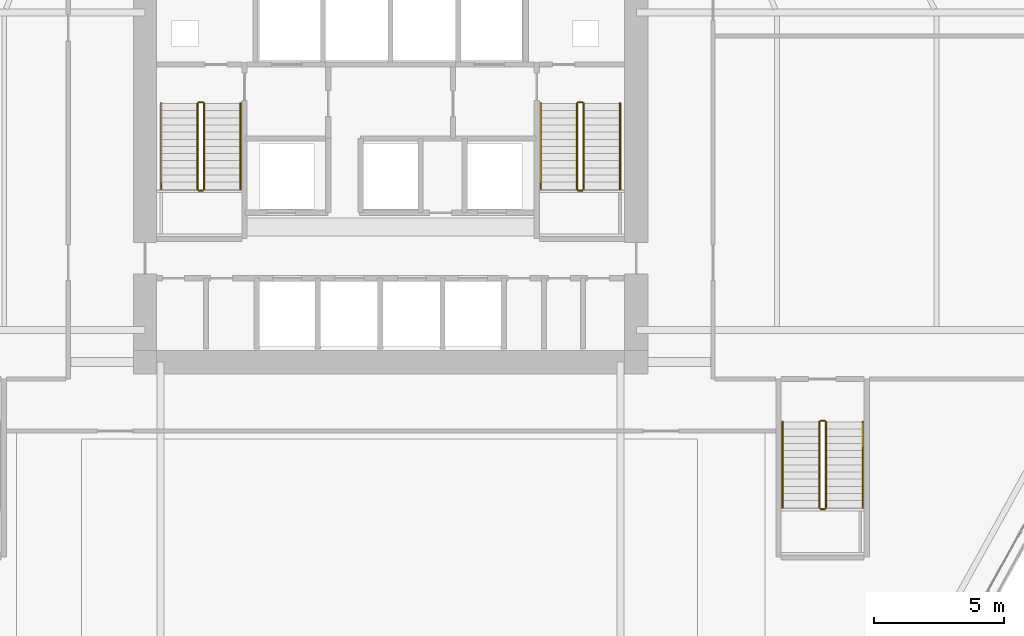
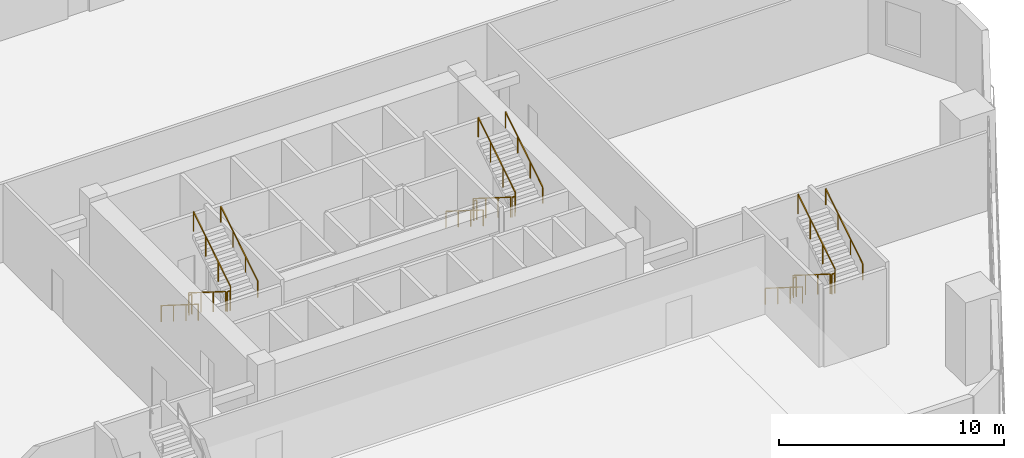
# One storey, part 17 of 18: 18 railings.
"""IFC4 building model written with IfcOpenShell, lengths in metres."""

from ifc_helpers import new_model, si_unit, direction, frame, origin, origin_2d, place, context, subcontext, project, spatial, rectangle, extrude, material, type_object, element, save


model = new_model("IFC4")

# Units and contexts
model_context = context("Model", 3, precision=1e-05, world=origin(), true_north=direction((0.0, 1.0)))
body_context = subcontext(model_context, "Body", "Model", "MODEL_VIEW")
ifc_project = project(units=[si_unit("LENGTHUNIT", "METRE"), si_unit("AREAUNIT", "SQUARE_METRE"), si_unit("VOLUMEUNIT", "CUBIC_METRE"), si_unit("PLANEANGLEUNIT", "RADIAN"), si_unit("MASSUNIT", "GRAM", prefix="KILO")], contexts=[model_context])

# Site, building, storey
site_placement = place(None, origin())
site = spatial("IfcSite", under=ifc_project, at=site_placement, CompositionType="ELEMENT")
building_placement = place(site_placement, origin())
building = spatial("IfcBuilding", under=site, at=building_placement, Name="Cinnabar Lancet Tower", CompositionType="ELEMENT")
storey_placement = place(building_placement, frame((0.0, 0.0, 10.5)))
storey = spatial("IfcBuildingStorey", under=building, at=storey_placement, Name="L02", CompositionType="ELEMENT", Elevation=10.5)

# Railings
ifc_material_1 = material(Name="Painted galvanized steel balustrade", Category="steel")
railing_type_1 = type_object("IfcRailingType", Name="GUARD-STAIR", PredefinedType="GUARDRAIL", material=ifc_material_1)
railing_1_placement = place(storey_placement, frame((24.97509765625, 28.39990234375, 0.173095703125)))
element("IfcRailing", 1, at=railing_1_placement, inside=storey, type_object=railing_type_1, Name="L02 ST-1 stair guard 1", PredefinedType="GUARDRAIL", context=body_context, shape_type="SweptSolid", body=[
    extrude(rectangle(XDim=0.048095703125, YDim=0.048095703125, at=origin_2d()), frame((0.0, 0.0, 1.076171875), z_axis=(0.0, -0.846319618018, 0.532675421018), x_axis=(1.0, 0.0, 0.0)), (0.0, 0.0, 1.0), 3.89892578125),
    extrude(rectangle(XDim=0.0419921875, YDim=0.0419921875, at=origin_2d()), origin(), (0.0, 0.0, 1.0), 1.052001953125),
    extrude(rectangle(XDim=0.0419921875, YDim=0.0419921875, at=origin_2d()), frame((0.0, -1.099853515625, 0.6923828125)), (0.0, 0.0, 1.0), 1.052001953125),
    extrude(rectangle(XDim=0.0419921875, YDim=0.0419921875, at=origin_2d()), frame((0.0, -2.199951171875, 1.384521484375)), (0.0, 0.0, 1.0), 1.052001953125),
    extrude(rectangle(XDim=0.0419921875, YDim=0.0419921875, at=origin_2d()), frame((0.0, -3.2998046875, 2.076904296875)), (0.0, 0.0, 1.0), 1.052001953125),
])
railing_2_placement = place(storey_placement, frame((25.02490234375, 25.050048828125, 2.25)))
element("IfcRailing", 2, at=railing_2_placement, inside=storey, type_object=railing_type_1, Name="L02 ST-1 stair guard 2", PredefinedType="GUARDRAIL", context=body_context, shape_type="SweptSolid", body=[
    extrude(rectangle(XDim=0.048095703125, YDim=0.048095703125, at=origin_2d()), frame((0.0, 0.0, 1.076171875), z_axis=(1.0, 0.0, 0.0), x_axis=(0.0, 1.0, 0.0)), (0.0, 0.0, 1.0), 0.150146484375),
    extrude(rectangle(XDim=0.0419921875, YDim=0.0419921875, at=origin_2d()), origin(), (0.0, 0.0, 1.0), 1.052001953125),
    extrude(rectangle(XDim=0.0419921875, YDim=0.0419921875, at=origin_2d()), frame((0.150146484375, 0.0, 0.0)), (0.0, 0.0, 1.0), 1.052001953125),
])
railing_3_placement = place(storey_placement, frame((25.22509765625, 25.10009765625, 2.423095703125)))
element("IfcRailing", 3, at=railing_3_placement, inside=storey, type_object=railing_type_1, Name="L02 ST-1 stair guard 3", PredefinedType="GUARDRAIL", context=body_context, shape_type="SweptSolid", body=[
    extrude(rectangle(XDim=0.048095703125, YDim=0.048095703125, at=origin_2d()), frame((0.0, 0.0, 1.076171875), z_axis=(0.0, 0.846319618018, 0.532675421018), x_axis=(-1.0, 0.0, 0.0)), (0.0, 0.0, 1.0), 3.89892578125),
    extrude(rectangle(XDim=0.0419921875, YDim=0.0419921875, at=origin_2d()), origin(), (0.0, 0.0, 1.0), 1.052001953125),
    extrude(rectangle(XDim=0.0419921875, YDim=0.0419921875, at=origin_2d()), frame((0.0, 1.099853515625, 0.6923828125)), (0.0, 0.0, 1.0), 1.052001953125),
    extrude(rectangle(XDim=0.0419921875, YDim=0.0419921875, at=origin_2d()), frame((0.0, 2.199951171875, 1.384521484375)), (0.0, 0.0, 1.0), 1.052001953125),
    extrude(rectangle(XDim=0.0419921875, YDim=0.0419921875, at=origin_2d()), frame((0.0, 3.2998046875, 2.076904296875)), (0.0, 0.0, 1.0), 1.052001953125),
])
railing_4_placement = place(storey_placement, frame((25.02490234375, 28.449951171875, 0.0)))
element("IfcRailing", 4, at=railing_4_placement, inside=storey, type_object=railing_type_1, Name="L02 ST-1 stair guard 4", PredefinedType="GUARDRAIL", context=body_context, shape_type="SweptSolid", body=[
    extrude(rectangle(XDim=0.048095703125, YDim=0.048095703125, at=origin_2d()), frame((0.0, 0.0, 1.076171875), z_axis=(1.0, 0.0, 0.0), x_axis=(0.0, 1.0, 0.0)), (0.0, 0.0, 1.0), 0.150146484375),
    extrude(rectangle(XDim=0.0419921875, YDim=0.0419921875, at=origin_2d()), origin(), (0.0, 0.0, 1.0), 1.052001953125),
    extrude(rectangle(XDim=0.0419921875, YDim=0.0419921875, at=origin_2d()), frame((0.150146484375, 0.0, 0.0)), (0.0, 0.0, 1.0), 1.052001953125),
])
railing_5_placement = place(storey_placement, frame((39.574951171875, 28.39990234375, 0.173095703125)))
element("IfcRailing", 5, at=railing_5_placement, inside=storey, type_object=railing_type_1, Name="L02 ST-2 stair guard 1", PredefinedType="GUARDRAIL", context=body_context, shape_type="SweptSolid", body=[
    extrude(rectangle(XDim=0.048095703125, YDim=0.048095703125, at=origin_2d()), frame((0.0, 0.0, 1.076171875), z_axis=(0.0, -0.846319618018, 0.532675421018), x_axis=(1.0, 0.0, 0.0)), (0.0, 0.0, 1.0), 3.89892578125),
    extrude(rectangle(XDim=0.0419921875, YDim=0.0419921875, at=origin_2d()), origin(), (0.0, 0.0, 1.0), 1.052001953125),
    extrude(rectangle(XDim=0.0419921875, YDim=0.0419921875, at=origin_2d()), frame((0.0, -1.099853515625, 0.6923828125)), (0.0, 0.0, 1.0), 1.052001953125),
    extrude(rectangle(XDim=0.0419921875, YDim=0.0419921875, at=origin_2d()), frame((0.0, -2.199951171875, 1.384521484375)), (0.0, 0.0, 1.0), 1.052001953125),
    extrude(rectangle(XDim=0.0419921875, YDim=0.0419921875, at=origin_2d()), frame((0.0, -3.2998046875, 2.076904296875)), (0.0, 0.0, 1.0), 1.052001953125),
])
railing_6_placement = place(storey_placement, frame((39.625, 25.050048828125, 2.25)))
element("IfcRailing", 6, at=railing_6_placement, inside=storey, type_object=railing_type_1, Name="L02 ST-2 stair guard 2", PredefinedType="GUARDRAIL", context=body_context, shape_type="SweptSolid", body=[
    extrude(rectangle(XDim=0.048095703125, YDim=0.048095703125, at=origin_2d()), frame((0.0, 0.0, 1.076171875), z_axis=(1.0, 0.0, 0.0), x_axis=(0.0, 1.0, 0.0)), (0.0, 0.0, 1.0), 0.14990234375),
    extrude(rectangle(XDim=0.0419921875, YDim=0.0419921875, at=origin_2d()), origin(), (0.0, 0.0, 1.0), 1.052001953125),
    extrude(rectangle(XDim=0.0419921875, YDim=0.0419921875, at=origin_2d()), frame((0.14990234375, 0.0, 0.0)), (0.0, 0.0, 1.0), 1.052001953125),
])
railing_7_placement = place(storey_placement, frame((39.824951171875, 25.10009765625, 2.423095703125)))
element("IfcRailing", 7, at=railing_7_placement, inside=storey, type_object=railing_type_1, Name="L02 ST-2 stair guard 3", PredefinedType="GUARDRAIL", context=body_context, shape_type="SweptSolid", body=[
    extrude(rectangle(XDim=0.048095703125, YDim=0.048095703125, at=origin_2d()), frame((0.0, 0.0, 1.076171875), z_axis=(0.0, 0.846319618018, 0.532675421018), x_axis=(-1.0, 0.0, 0.0)), (0.0, 0.0, 1.0), 3.89892578125),
    extrude(rectangle(XDim=0.0419921875, YDim=0.0419921875, at=origin_2d()), origin(), (0.0, 0.0, 1.0), 1.052001953125),
    extrude(rectangle(XDim=0.0419921875, YDim=0.0419921875, at=origin_2d()), frame((0.0, 1.099853515625, 0.6923828125)), (0.0, 0.0, 1.0), 1.052001953125),
    extrude(rectangle(XDim=0.0419921875, YDim=0.0419921875, at=origin_2d()), frame((0.0, 2.199951171875, 1.384521484375)), (0.0, 0.0, 1.0), 1.052001953125),
    extrude(rectangle(XDim=0.0419921875, YDim=0.0419921875, at=origin_2d()), frame((0.0, 3.2998046875, 2.076904296875)), (0.0, 0.0, 1.0), 1.052001953125),
])
railing_8_placement = place(storey_placement, frame((39.625, 28.449951171875, 0.0)))
element("IfcRailing", 8, at=railing_8_placement, inside=storey, type_object=railing_type_1, Name="L02 ST-2 stair guard 4", PredefinedType="GUARDRAIL", context=body_context, shape_type="SweptSolid", body=[
    extrude(rectangle(XDim=0.048095703125, YDim=0.048095703125, at=origin_2d()), frame((0.0, 0.0, 1.076171875), z_axis=(1.0, 0.0, 0.0), x_axis=(0.0, 1.0, 0.0)), (0.0, 0.0, 1.0), 0.14990234375),
    extrude(rectangle(XDim=0.0419921875, YDim=0.0419921875, at=origin_2d()), origin(), (0.0, 0.0, 1.0), 1.052001953125),
    extrude(rectangle(XDim=0.0419921875, YDim=0.0419921875, at=origin_2d()), frame((0.14990234375, 0.0, 0.0)), (0.0, 0.0, 1.0), 1.052001953125),
])
railing_9_placement = place(storey_placement, frame((48.89501953125, 16.14990234375, 0.173095703125)))
element("IfcRailing", 9, at=railing_9_placement, inside=storey, type_object=railing_type_1, Name="L02 ST-4 stair guard 1", PredefinedType="GUARDRAIL", context=body_context, shape_type="SweptSolid", body=[
    extrude(rectangle(XDim=0.048095703125, YDim=0.048095703125, at=origin_2d()), frame((0.0, 0.0, 1.076171875), z_axis=(0.0, -0.846319618018, 0.532675421018), x_axis=(1.0, 0.0, 0.0)), (0.0, 0.0, 1.0), 3.89892578125),
    extrude(rectangle(XDim=0.0419921875, YDim=0.0419921875, at=origin_2d()), origin(), (0.0, 0.0, 1.0), 1.052001953125),
    extrude(rectangle(XDim=0.0419921875, YDim=0.0419921875, at=origin_2d()), frame((0.0, -1.099853515625, 0.6923828125)), (0.0, 0.0, 1.0), 1.052001953125),
    extrude(rectangle(XDim=0.0419921875, YDim=0.0419921875, at=origin_2d()), frame((0.0, -2.199951171875, 1.384521484375)), (0.0, 0.0, 1.0), 1.052001953125),
    extrude(rectangle(XDim=0.0419921875, YDim=0.0419921875, at=origin_2d()), frame((0.0, -3.2998046875, 2.076904296875)), (0.0, 0.0, 1.0), 1.052001953125),
])
railing_10_placement = place(storey_placement, frame((48.945068359375, 12.800048828125, 2.25)))
element("IfcRailing", 10, at=railing_10_placement, inside=storey, type_object=railing_type_1, Name="L02 ST-4 stair guard 2", PredefinedType="GUARDRAIL", context=body_context, shape_type="SweptSolid", body=[
    extrude(rectangle(XDim=0.048095703125, YDim=0.048095703125, at=origin_2d()), frame((0.0, 0.0, 1.076171875), z_axis=(1.0, 0.0, 0.0), x_axis=(0.0, 1.0, 0.0)), (0.0, 0.0, 1.0), 0.14990234375),
    extrude(rectangle(XDim=0.0419921875, YDim=0.0419921875, at=origin_2d()), origin(), (0.0, 0.0, 1.0), 1.052001953125),
    extrude(rectangle(XDim=0.0419921875, YDim=0.0419921875, at=origin_2d()), frame((0.14990234375, 0.0, 0.0)), (0.0, 0.0, 1.0), 1.052001953125),
])
railing_11_placement = place(storey_placement, frame((49.14501953125, 12.85009765625, 2.423095703125)))
element("IfcRailing", 11, at=railing_11_placement, inside=storey, type_object=railing_type_1, Name="L02 ST-4 stair guard 3", PredefinedType="GUARDRAIL", context=body_context, shape_type="SweptSolid", body=[
    extrude(rectangle(XDim=0.048095703125, YDim=0.048095703125, at=origin_2d()), frame((0.0, 0.0, 1.076171875), z_axis=(0.0, 0.846319618018, 0.532675421018), x_axis=(-1.0, 0.0, 0.0)), (0.0, 0.0, 1.0), 3.89892578125),
    extrude(rectangle(XDim=0.0419921875, YDim=0.0419921875, at=origin_2d()), origin(), (0.0, 0.0, 1.0), 1.052001953125),
    extrude(rectangle(XDim=0.0419921875, YDim=0.0419921875, at=origin_2d()), frame((0.0, 1.099853515625, 0.6923828125)), (0.0, 0.0, 1.0), 1.052001953125),
    extrude(rectangle(XDim=0.0419921875, YDim=0.0419921875, at=origin_2d()), frame((0.0, 2.199951171875, 1.384521484375)), (0.0, 0.0, 1.0), 1.052001953125),
    extrude(rectangle(XDim=0.0419921875, YDim=0.0419921875, at=origin_2d()), frame((0.0, 3.2998046875, 2.076904296875)), (0.0, 0.0, 1.0), 1.052001953125),
])
railing_12_placement = place(storey_placement, frame((48.945068359375, 16.199951171875, 0.0)))
element("IfcRailing", 12, at=railing_12_placement, inside=storey, type_object=railing_type_1, Name="L02 ST-4 stair guard 4", PredefinedType="GUARDRAIL", context=body_context, shape_type="SweptSolid", body=[
    extrude(rectangle(XDim=0.048095703125, YDim=0.048095703125, at=origin_2d()), frame((0.0, 0.0, 1.076171875), z_axis=(1.0, 0.0, 0.0), x_axis=(0.0, 1.0, 0.0)), (0.0, 0.0, 1.0), 0.14990234375),
    extrude(rectangle(XDim=0.0419921875, YDim=0.0419921875, at=origin_2d()), origin(), (0.0, 0.0, 1.0), 1.052001953125),
    extrude(rectangle(XDim=0.0419921875, YDim=0.0419921875, at=origin_2d()), frame((0.14990234375, 0.0, 0.0)), (0.0, 0.0, 1.0), 1.052001953125),
])
ifc_material_2 = material(Name="Brushed stainless steel handrail", Category="steel")
railing_type_2 = type_object("IfcRailingType", Name="HANDRAIL-STAIR", PredefinedType="HANDRAIL", material=ifc_material_2)
railing_13_placement = place(storey_placement, frame((23.574951171875, 28.39990234375, 0.173095703125)))
element("IfcRailing", 13, at=railing_13_placement, inside=storey, type_object=railing_type_2, Name="L02 ST-1 stair handrail 1", PredefinedType="HANDRAIL", context=body_context, shape_type="SweptSolid", body=[
    extrude(rectangle(XDim=0.048095703125, YDim=0.048095703125, at=origin_2d()), frame((0.0, 0.0, 0.8759765625), z_axis=(0.0, -0.846319618018, 0.532675421018), x_axis=(1.0, 0.0, 0.0)), (0.0, 0.0, 1.0), 3.89892578125),
    extrude(rectangle(XDim=0.0419921875, YDim=0.0419921875, at=origin_2d()), origin(), (0.0, 0.0, 1.0), 0.851806640625),
    extrude(rectangle(XDim=0.0419921875, YDim=0.0419921875, at=origin_2d()), frame((0.0, -1.099853515625, 0.6923828125)), (0.0, 0.0, 1.0), 0.851806640625),
    extrude(rectangle(XDim=0.0419921875, YDim=0.0419921875, at=origin_2d()), frame((0.0, -2.199951171875, 1.384521484375)), (0.0, 0.0, 1.0), 0.851806640625),
    extrude(rectangle(XDim=0.0419921875, YDim=0.0419921875, at=origin_2d()), frame((0.0, -3.2998046875, 2.076904296875)), (0.0, 0.0, 1.0), 0.851806640625),
])
railing_14_placement = place(storey_placement, frame((26.625, 25.10009765625, 2.423095703125)))
element("IfcRailing", 14, at=railing_14_placement, inside=storey, type_object=railing_type_2, Name="L02 ST-1 stair handrail 2", PredefinedType="HANDRAIL", context=body_context, shape_type="SweptSolid", body=[
    extrude(rectangle(XDim=0.048095703125, YDim=0.048095703125, at=origin_2d()), frame((0.0, 0.0, 0.8759765625), z_axis=(0.0, 0.846319618018, 0.532675421018), x_axis=(-1.0, 0.0, 0.0)), (0.0, 0.0, 1.0), 3.89892578125),
    extrude(rectangle(XDim=0.0419921875, YDim=0.0419921875, at=origin_2d()), origin(), (0.0, 0.0, 1.0), 0.851806640625),
    extrude(rectangle(XDim=0.0419921875, YDim=0.0419921875, at=origin_2d()), frame((0.0, 1.099853515625, 0.6923828125)), (0.0, 0.0, 1.0), 0.851806640625),
    extrude(rectangle(XDim=0.0419921875, YDim=0.0419921875, at=origin_2d()), frame((0.0, 2.199951171875, 1.384521484375)), (0.0, 0.0, 1.0), 0.851806640625),
    extrude(rectangle(XDim=0.0419921875, YDim=0.0419921875, at=origin_2d()), frame((0.0, 3.2998046875, 2.076904296875)), (0.0, 0.0, 1.0), 0.851806640625),
])
railing_15_placement = place(storey_placement, frame((38.175048828125, 28.39990234375, 0.173095703125)))
element("IfcRailing", 15, at=railing_15_placement, inside=storey, type_object=railing_type_2, Name="L02 ST-2 stair handrail 1", PredefinedType="HANDRAIL", context=body_context, shape_type="SweptSolid", body=[
    extrude(rectangle(XDim=0.048095703125, YDim=0.048095703125, at=origin_2d()), frame((0.0, 0.0, 0.8759765625), z_axis=(0.0, -0.846319618018, 0.532675421018), x_axis=(1.0, 0.0, 0.0)), (0.0, 0.0, 1.0), 3.89892578125),
    extrude(rectangle(XDim=0.0419921875, YDim=0.0419921875, at=origin_2d()), origin(), (0.0, 0.0, 1.0), 0.851806640625),
    extrude(rectangle(XDim=0.0419921875, YDim=0.0419921875, at=origin_2d()), frame((0.0, -1.099853515625, 0.6923828125)), (0.0, 0.0, 1.0), 0.851806640625),
    extrude(rectangle(XDim=0.0419921875, YDim=0.0419921875, at=origin_2d()), frame((0.0, -2.199951171875, 1.384521484375)), (0.0, 0.0, 1.0), 0.851806640625),
    extrude(rectangle(XDim=0.0419921875, YDim=0.0419921875, at=origin_2d()), frame((0.0, -3.2998046875, 2.076904296875)), (0.0, 0.0, 1.0), 0.851806640625),
])
railing_16_placement = place(storey_placement, frame((41.22509765625, 25.10009765625, 2.423095703125)))
element("IfcRailing", 16, at=railing_16_placement, inside=storey, type_object=railing_type_2, Name="L02 ST-2 stair handrail 2", PredefinedType="HANDRAIL", context=body_context, shape_type="SweptSolid", body=[
    extrude(rectangle(XDim=0.048095703125, YDim=0.048095703125, at=origin_2d()), frame((0.0, 0.0, 0.8759765625), z_axis=(0.0, 0.846319618018, 0.532675421018), x_axis=(-1.0, 0.0, 0.0)), (0.0, 0.0, 1.0), 3.89892578125),
    extrude(rectangle(XDim=0.0419921875, YDim=0.0419921875, at=origin_2d()), origin(), (0.0, 0.0, 1.0), 0.851806640625),
    extrude(rectangle(XDim=0.0419921875, YDim=0.0419921875, at=origin_2d()), frame((0.0, 1.099853515625, 0.6923828125)), (0.0, 0.0, 1.0), 0.851806640625),
    extrude(rectangle(XDim=0.0419921875, YDim=0.0419921875, at=origin_2d()), frame((0.0, 2.199951171875, 1.384521484375)), (0.0, 0.0, 1.0), 0.851806640625),
    extrude(rectangle(XDim=0.0419921875, YDim=0.0419921875, at=origin_2d()), frame((0.0, 3.2998046875, 2.076904296875)), (0.0, 0.0, 1.0), 0.851806640625),
])
railing_17_placement = place(storey_placement, frame((47.47509765625, 16.14990234375, 0.173095703125)))
element("IfcRailing", 17, at=railing_17_placement, inside=storey, type_object=railing_type_2, Name="L02 ST-4 stair handrail 1", PredefinedType="HANDRAIL", context=body_context, shape_type="SweptSolid", body=[
    extrude(rectangle(XDim=0.048095703125, YDim=0.048095703125, at=origin_2d()), frame((0.0, 0.0, 0.8759765625), z_axis=(0.0, -0.846319618018, 0.532675421018), x_axis=(1.0, 0.0, 0.0)), (0.0, 0.0, 1.0), 3.89892578125),
    extrude(rectangle(XDim=0.0419921875, YDim=0.0419921875, at=origin_2d()), origin(), (0.0, 0.0, 1.0), 0.851806640625),
    extrude(rectangle(XDim=0.0419921875, YDim=0.0419921875, at=origin_2d()), frame((0.0, -1.099853515625, 0.6923828125)), (0.0, 0.0, 1.0), 0.851806640625),
    extrude(rectangle(XDim=0.0419921875, YDim=0.0419921875, at=origin_2d()), frame((0.0, -2.199951171875, 1.384521484375)), (0.0, 0.0, 1.0), 0.851806640625),
    extrude(rectangle(XDim=0.0419921875, YDim=0.0419921875, at=origin_2d()), frame((0.0, -3.2998046875, 2.076904296875)), (0.0, 0.0, 1.0), 0.851806640625),
])
railing_18_placement = place(storey_placement, frame((50.56494140625, 12.85009765625, 2.423095703125)))
element("IfcRailing", 18, at=railing_18_placement, inside=storey, type_object=railing_type_2, Name="L02 ST-4 stair handrail 2", PredefinedType="HANDRAIL", context=body_context, shape_type="SweptSolid", body=[
    extrude(rectangle(XDim=0.048095703125, YDim=0.048095703125, at=origin_2d()), frame((0.0, 0.0, 0.8759765625), z_axis=(0.0, 0.846319618018, 0.532675421018), x_axis=(-1.0, 0.0, 0.0)), (0.0, 0.0, 1.0), 3.89892578125),
    extrude(rectangle(XDim=0.0419921875, YDim=0.0419921875, at=origin_2d()), origin(), (0.0, 0.0, 1.0), 0.851806640625),
    extrude(rectangle(XDim=0.0419921875, YDim=0.0419921875, at=origin_2d()), frame((0.0, 1.099853515625, 0.6923828125)), (0.0, 0.0, 1.0), 0.851806640625),
    extrude(rectangle(XDim=0.0419921875, YDim=0.0419921875, at=origin_2d()), frame((0.0, 2.199951171875, 1.384521484375)), (0.0, 0.0, 1.0), 0.851806640625),
    extrude(rectangle(XDim=0.0419921875, YDim=0.0419921875, at=origin_2d()), frame((0.0, 3.2998046875, 2.076904296875)), (0.0, 0.0, 1.0), 0.851806640625),
])

save(model, "model.ifc")
